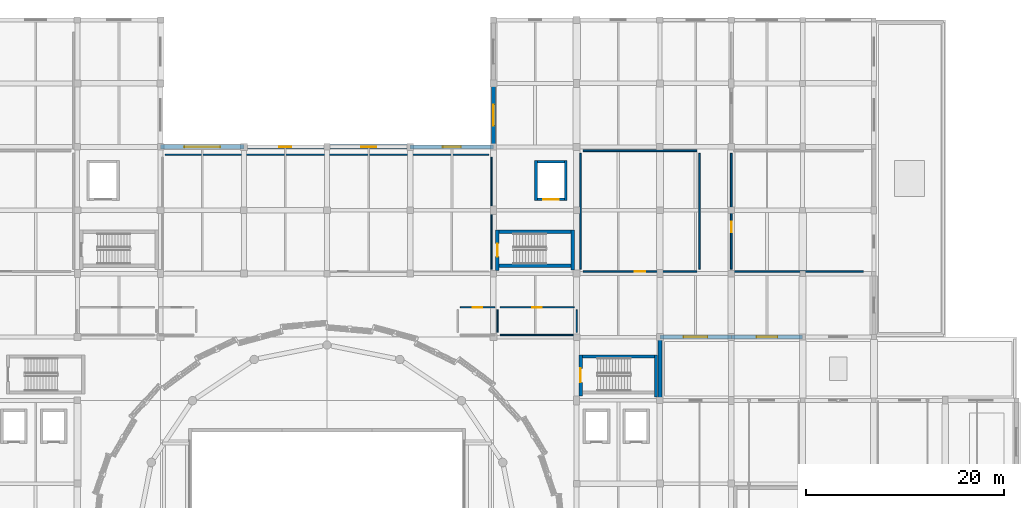
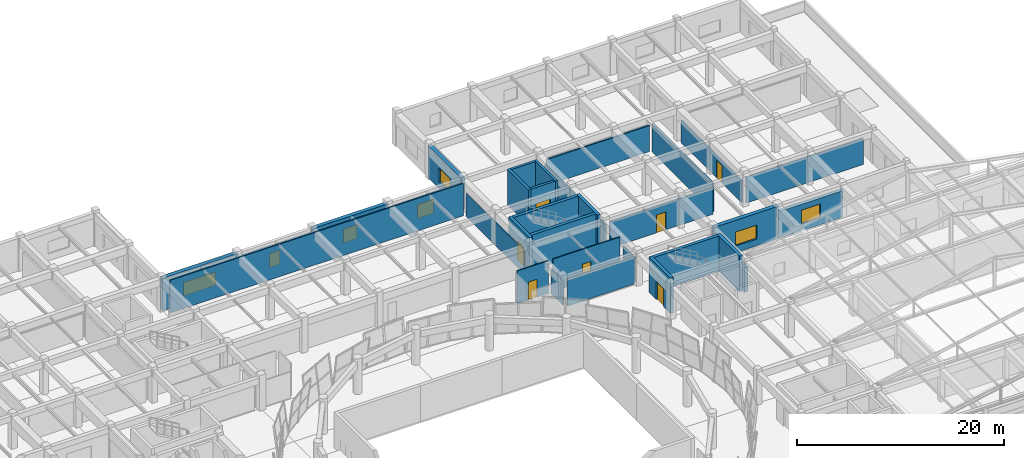
# One storey, part 60 of 74: 32 walls, 7 doors, 7 windows, 14 openings.
"""IFC4 building model written with IfcOpenShell, lengths in metres."""

from ifc_helpers import new_model, si_unit, direction, frame, frame_2d, origin, place, context, subcontext, project, spatial, rectangle, extrude, material, layer, layer_set, type_object, element, fill, save


model = new_model("IFC4")

# Units and contexts
model_context = context("Model", 3, precision=1e-05, world=origin(), true_north=direction((0.0, 1.0)))
body_context = subcontext(model_context, "Body", "Model", "MODEL_VIEW")
ifc_project = project(units=[si_unit("LENGTHUNIT", "METRE"), si_unit("AREAUNIT", "SQUARE_METRE"), si_unit("VOLUMEUNIT", "CUBIC_METRE"), si_unit("PLANEANGLEUNIT", "RADIAN"), si_unit("MASSUNIT", "GRAM", prefix="KILO")], contexts=[model_context])

# Site, building, storey
site_placement = place(None, origin())
site = spatial("IfcSite", under=ifc_project, at=site_placement, CompositionType="ELEMENT")
building_placement = place(site_placement, origin())
building = spatial("IfcBuilding", under=site, at=building_placement, Name="Korsvaeld Concert Hall", CompositionType="ELEMENT")
storey_placement = place(building_placement, frame((0.0, 0.0, 9.0)))
storey = spatial("IfcBuildingStorey", under=building, at=storey_placement, Name="L02", CompositionType="ELEMENT", Elevation=9.0)

# Walls
ifc_material_1 = material(Name="Concrete C40/50", Category="concrete")
ifc_layer_1 = layer(ifc_material_1, 0.340087890625)
ifc_layer_set_1 = layer_set([ifc_layer_1], Name="Concrete C40/50")
wall_type_1 = type_object("IfcWallType", Name="WL-CORE-340", PredefinedType="SHEAR", material=ifc_layer_set_1)
wall_1_placement = place(storey_placement, frame((117.199951171875, 77.125, 0.0), z_axis=(0.0, 0.0, 1.0), x_axis=(0.0, 1.0, 0.0)))
element("IfcWall", 1, at=wall_1_placement, inside=storey, type_object=wall_type_1, Name="Core K2 shear wall L02 E", PredefinedType="SHEAR", context=body_context, shape_type="SweptSolid", body=[
    extrude(rectangle(XDim=4.284912109375, YDim=0.340087890625, at=frame_2d((2.142578125, 0.0))), origin(), (0.0, 0.0, 1.0), 4.199951171875),
])
wall_2_placement = place(storey_placement, frame((117.030029296875, 81.239990234375, 0.0), z_axis=(0.0, 0.0, 1.0), x_axis=(-1.0, 0.0, 0.0)))
element("IfcWall", 2, at=wall_2_placement, inside=storey, type_object=wall_type_1, Name="Core K2 shear wall L02 N", PredefinedType="SHEAR", context=body_context, shape_type="SweptSolid", body=[
    extrude(rectangle(XDim=7.260009765625, YDim=0.340087890625, at=frame_2d((3.6298828125, 0.0))), origin(), (0.0, 0.0, 1.0), 4.199951171875),
])

# Wall, opening, door
wall_3_placement = place(storey_placement, frame((109.60009765625, 81.409912109375, 0.0), z_axis=(0.0, 0.0, 1.0), x_axis=(0.0, -1.0, 0.0)))
wall_3 = element("IfcWall", 3, at=wall_3_placement, inside=storey, type_object=wall_type_1, Name="Core K2 shear wall L02 W", PredefinedType="SHEAR", context=body_context, shape_type="SweptSolid", body=[
    extrude(rectangle(XDim=4.159912109375, YDim=0.340087890625, at=frame_2d((2.080078125, 0.0))), origin(), (0.0, 0.0, 1.0), 4.199951171875),
])
opening_1_placement = place(wall_3_placement, frame((1.3798828125, 0.0, 0.0)))
opening_1 = element("IfcOpeningElement", 4, at=opening_1_placement, cuts=wall_3, Name="Opening FD-02", PredefinedType="OPENING", context=body_context, shape_type="SweptSolid", body=[
    extrude(rectangle(XDim=1.39990234375, YDim=2.14990234375, at=frame_2d((0.699951171875, 1.074951171875))), frame((0.0, 0.18017578125, 0.0), z_axis=(0.0, -1.0, 0.0), x_axis=(1.0, 0.0, 0.0)), (0.0, 0.0, 1.0), 0.360107421875),
])
ifc_material_2 = material(Name="Acoustic steel and oak fire door", Category="steel")
door_type_1 = type_object("IfcDoorType", Name="DR-FD-STAIR-140x215", OperationType="NOTDEFINED", PredefinedType="DOOR", material=ifc_material_2)
door_1_placement = place(opening_1_placement, origin())
door_1 = element("IfcDoor", 5, at=door_1_placement, inside=storey, type_object=door_type_1, Name="Escape stair ST-K2 fire door L02", OperationType="SINGLE_SWING_RIGHT", OverallHeight=2.14990234375, OverallWidth=1.39990234375, PredefinedType="DOOR", context=body_context, shape_type="SweptSolid", body=[
    extrude(rectangle(XDim=1.39990234375, YDim=2.14990234375, at=frame_2d((0.699951171875, 1.074951171875))), frame((0.0, 0.02490234375, 0.0), z_axis=(0.0, -1.0, 0.0), x_axis=(1.0, 0.0, 0.0)), (0.0, 0.0, 1.0), 0.050048828125),
])
fill(opening_1, door_1)

# Walls
wall_4_placement = place(storey_placement, frame((101.3701171875, 90.39990234375, 0.0), z_axis=(0.0, 0.0, 1.0), x_axis=(1.0, 0.0, 0.0)))
element("IfcWall", 6, at=wall_4_placement, inside=storey, type_object=wall_type_1, Name="Core K6 shear wall L02 S", PredefinedType="SHEAR", context=body_context, shape_type="SweptSolid", body=[
    extrude(rectangle(XDim=7.259765625, YDim=0.340087890625, at=frame_2d((3.6298828125, 0.0))), origin(), (0.0, 0.0, 1.0), 4.199951171875),
])
wall_5_placement = place(storey_placement, frame((108.800048828125, 89.949951171875, 0.0), z_axis=(0.0, 0.0, 1.0), x_axis=(0.0, 1.0, 0.0)))
element("IfcWall", 7, at=wall_5_placement, inside=storey, type_object=wall_type_1, Name="Core K6 shear wall L02 E", PredefinedType="SHEAR", context=body_context, shape_type="SweptSolid", body=[
    extrude(rectangle(XDim=4.06005859375, YDim=0.340087890625, at=frame_2d((2.030029296875, 0.0))), origin(), (0.0, 0.0, 1.0), 4.199951171875),
])
wall_6_placement = place(storey_placement, frame((108.6298828125, 93.840087890625, 0.0), z_axis=(0.0, 0.0, 1.0), x_axis=(-1.0, 0.0, 0.0)))
element("IfcWall", 8, at=wall_6_placement, inside=storey, type_object=wall_type_1, Name="Core K6 shear wall L02 N", PredefinedType="SHEAR", context=body_context, shape_type="SweptSolid", body=[
    extrude(rectangle(XDim=7.259765625, YDim=0.340087890625, at=frame_2d((3.6298828125, 0.0))), origin(), (0.0, 0.0, 1.0), 4.199951171875),
])

# Wall, opening, door
wall_7_placement = place(storey_placement, frame((101.199951171875, 94.010009765625, 0.0), z_axis=(0.0, 0.0, 1.0), x_axis=(0.0, -1.0, 0.0)))
wall_7 = element("IfcWall", 9, at=wall_7_placement, inside=storey, type_object=wall_type_1, Name="Core K6 shear wall L02 W", PredefinedType="SHEAR", context=body_context, shape_type="SweptSolid", body=[
    extrude(rectangle(XDim=4.0849609375, YDim=0.340087890625, at=frame_2d((2.04248046875, 0.0))), origin(), (0.0, 0.0, 1.0), 4.199951171875),
])
opening_2_placement = place(wall_7_placement, frame((1.392578125, 0.0, 0.0)))
opening_2 = element("IfcOpeningElement", 10, at=opening_2_placement, cuts=wall_7, Name="Opening FD-01", PredefinedType="OPENING", context=body_context, shape_type="SweptSolid", body=[
    extrude(rectangle(XDim=1.300048828125, YDim=2.14990234375, at=frame_2d((0.64990234375, 1.074951171875))), frame((0.0, 0.18017578125, 0.0), z_axis=(0.0, -1.0, 0.0), x_axis=(1.0, 0.0, 0.0)), (0.0, 0.0, 1.0), 0.360107421875),
])
door_type_2 = type_object("IfcDoorType", Name="DR-FD-STAIR-130x215", OperationType="NOTDEFINED", PredefinedType="DOOR", material=ifc_material_2)
door_2_placement = place(opening_2_placement, origin())
door_2 = element("IfcDoor", 11, at=door_2_placement, inside=storey, type_object=door_type_2, Name="Escape stair ST-K6 fire door L02", OperationType="SINGLE_SWING_RIGHT", OverallHeight=2.14990234375, OverallWidth=1.300048828125, PredefinedType="DOOR", context=body_context, shape_type="SweptSolid", body=[
    extrude(rectangle(XDim=1.300048828125, YDim=2.14990234375, at=frame_2d((0.64990234375, 1.074951171875))), frame((0.0, 0.02490234375, 0.0), z_axis=(0.0, -1.0, 0.0), x_axis=(1.0, 0.0, 0.0)), (0.0, 0.0, 1.0), 0.050048828125),
])
fill(opening_2, door_2)

# Wall, opening, window
ifc_material_3 = material(Name="Obernkirchener buff sandstone rainscreen on Concrete C35/45", Category="masonry")
ifc_layer_2 = layer(ifc_material_3, 0.389892578125)
ifc_layer_set_2 = layer_set([ifc_layer_2], Name="Obernkirchener buff sandstone rainscreen on Concrete C35/45")
wall_type_2 = type_object("IfcWallType", Name="WL-EXT-BUFF-390", PredefinedType="STANDARD", material=ifc_layer_set_2)
wall_8_placement = place(storey_placement, frame((75.60009765625, 102.39990234375, 0.0), z_axis=(0.0, 0.0, 1.0), x_axis=(1.0, 0.0, 0.0)))
wall_8 = element("IfcWall", 12, at=wall_8_placement, inside=storey, type_object=wall_type_2, Name="Exterior sandstone wall L02-246", PredefinedType="STANDARD", context=body_context, shape_type="SweptSolid", body=[
    extrude(rectangle(XDim=8.39990234375, YDim=0.389892578125, at=frame_2d((4.199951171875, 0.0))), origin(), (0.0, 0.0, 1.0), 3.239990234375),
])
opening_3_placement = place(wall_8_placement, frame((3.60009765625, 0.0, 0.800048828125)))
opening_3 = element("IfcOpeningElement", 13, at=opening_3_placement, cuts=wall_8, Name="Opening WN-01", PredefinedType="OPENING", context=body_context, shape_type="SweptSolid", body=[
    extrude(rectangle(XDim=1.199951171875, YDim=1.64990234375, at=frame_2d((0.60009765625, 0.824951171875))), frame((0.0, 0.205078125, 0.0), z_axis=(0.0, -1.0, 0.0), x_axis=(1.0, 0.0, 0.0)), (0.0, 0.0, 1.0), 0.409912109375),
])
ifc_material_4 = material(Name="Anodised bronze frame with acoustic triple glazing", Category="glass")
window_type_1 = type_object("IfcWindowType", Name="WIN-AC-120x165", PartitioningType="SINGLE_PANEL", PredefinedType="WINDOW", material=ifc_material_4)
window_1_placement = place(opening_3_placement, origin())
window_1 = element("IfcWindow", 14, at=window_1_placement, inside=storey, type_object=window_type_1, Name="Acoustic triple-glazed window L02-150", OverallHeight=1.64990234375, OverallWidth=1.199951171875, PartitioningType="SINGLE_PANEL", PredefinedType="WINDOW", context=body_context, shape_type="SweptSolid", body=[
    extrude(rectangle(XDim=1.199951171875, YDim=1.64990234375, at=frame_2d((0.60009765625, 0.824951171875))), frame((0.0, 0.030029296875, 0.0), z_axis=(0.0, -1.0, 0.0), x_axis=(1.0, 0.0, 0.0)), (0.0, 0.0, 1.0), 0.06005859375),
])
fill(opening_3, window_1)

wall_9_placement = place(storey_placement, frame((92.39990234375, 102.39990234375, 0.0), z_axis=(0.0, 0.0, 1.0), x_axis=(1.0, 0.0, 0.0)))
wall_9 = element("IfcWall", 15, at=wall_9_placement, inside=storey, type_object=wall_type_2, Name="Exterior sandstone wall L02-248", PredefinedType="STANDARD", context=body_context, shape_type="SweptSolid", body=[
    extrude(rectangle(XDim=8.400146484375, YDim=0.389892578125, at=frame_2d((4.2001953125, 0.0))), origin(), (0.0, 0.0, 1.0), 3.18994140625),
])
opening_4_placement = place(wall_9_placement, frame((3.300048828125, 0.0, 0.800048828125)))
opening_4 = element("IfcOpeningElement", 16, at=opening_4_placement, cuts=wall_9, Name="Opening WN-03", PredefinedType="OPENING", context=body_context, shape_type="SweptSolid", body=[
    extrude(rectangle(XDim=1.800048828125, YDim=1.64990234375, at=frame_2d((0.89990234375, 0.824951171875))), frame((0.0, 0.205078125, 0.0), z_axis=(0.0, -1.0, 0.0), x_axis=(1.0, 0.0, 0.0)), (0.0, 0.0, 1.0), 0.409912109375),
])
window_type_2 = type_object("IfcWindowType", Name="WIN-AC-180x165", PartitioningType="SINGLE_PANEL", PredefinedType="WINDOW", material=ifc_material_4)
window_2_placement = place(opening_4_placement, origin())
window_2 = element("IfcWindow", 17, at=window_2_placement, inside=storey, type_object=window_type_2, Name="Acoustic triple-glazed window L02-152", OverallHeight=1.64990234375, OverallWidth=1.800048828125, PartitioningType="SINGLE_PANEL", PredefinedType="WINDOW", context=body_context, shape_type="SweptSolid", body=[
    extrude(rectangle(XDim=1.800048828125, YDim=1.64990234375, at=frame_2d((0.89990234375, 0.824951171875))), frame((0.0, 0.030029296875, 0.0), z_axis=(0.0, -1.0, 0.0), x_axis=(1.0, 0.0, 0.0)), (0.0, 0.0, 1.0), 0.06005859375),
])
fill(opening_4, window_2)

wall_10_placement = place(storey_placement, frame((132.0, 83.199951171875, 0.0), z_axis=(0.0, 0.0, 1.0), x_axis=(-1.0, 0.0, 0.0)))
wall_10 = element("IfcWall", 18, at=wall_10_placement, inside=storey, type_object=wall_type_2, Name="Exterior sandstone wall L02-262", PredefinedType="STANDARD", context=body_context, shape_type="SweptSolid", body=[
    extrude(rectangle(XDim=7.199951171875, YDim=0.389892578125, at=frame_2d((3.60009765625, 0.0))), origin(), (0.0, 0.0, 1.0), 3.139892578125),
])
opening_5_placement = place(wall_10_placement, frame((2.550048828125, 0.0, 0.800048828125)))
opening_5 = element("IfcOpeningElement", 19, at=opening_5_placement, cuts=wall_10, Name="Opening WN-04", PredefinedType="OPENING", context=body_context, shape_type="SweptSolid", body=[
    extrude(rectangle(XDim=2.10009765625, YDim=1.64990234375, at=frame_2d((1.050048828125, 0.824951171875))), frame((0.0, 0.205078125, 0.0), z_axis=(0.0, -1.0, 0.0), x_axis=(1.0, 0.0, 0.0)), (0.0, 0.0, 1.0), 0.409912109375),
])
window_type_3 = type_object("IfcWindowType", Name="WIN-AC-210x165", PartitioningType="SINGLE_PANEL", PredefinedType="WINDOW", material=ifc_material_4)
window_3_placement = place(opening_5_placement, origin())
window_3 = element("IfcWindow", 20, at=window_3_placement, inside=storey, type_object=window_type_3, Name="Acoustic triple-glazed window L02-166", OverallHeight=1.64990234375, OverallWidth=2.10009765625, PartitioningType="SINGLE_PANEL", PredefinedType="WINDOW", context=body_context, shape_type="SweptSolid", body=[
    extrude(rectangle(XDim=2.10009765625, YDim=1.64990234375, at=frame_2d((1.050048828125, 0.824951171875))), frame((0.0, 0.030029296875, 0.0), z_axis=(0.0, -1.0, 0.0), x_axis=(1.0, 0.0, 0.0)), (0.0, 0.0, 1.0), 0.06005859375),
])
fill(opening_5, window_3)

# Wall
wall_11_placement = place(storey_placement, frame((117.60009765625, 83.199951171875, 0.0), z_axis=(0.0, 0.0, 1.0), x_axis=(0.0, -1.0, 0.0)))
element("IfcWall", 21, at=wall_11_placement, inside=storey, type_object=wall_type_2, Name="Exterior sandstone wall L02-264", PredefinedType="STANDARD", context=body_context, shape_type="SweptSolid", body=[
    extrude(rectangle(XDim=6.39990234375, YDim=0.389892578125, at=frame_2d((3.199951171875, 0.0))), origin(), (0.0, 0.0, 1.0), 2.889892578125),
])

# Wall, opening, window
ifc_material_5 = material(Name="Bornholm Nexo rose-red sandstone rainscreen on Concrete C35/45", Category="masonry")
ifc_layer_3 = layer(ifc_material_5, 0.419921875)
ifc_layer_set_3 = layer_set([ifc_layer_3], Name="Bornholm Nexo rose-red sandstone rainscreen on Concrete C35/45")
wall_type_3 = type_object("IfcWallType", Name="WL-EXT-NEXO-420", PredefinedType="STANDARD", material=ifc_layer_set_3)
wall_12_placement = place(storey_placement, frame((67.199951171875, 102.39990234375, 0.0), z_axis=(0.0, 0.0, 1.0), x_axis=(1.0, 0.0, 0.0)))
wall_12 = element("IfcWall", 22, at=wall_12_placement, inside=storey, type_object=wall_type_3, Name="Exterior sandstone wall L02-245", PredefinedType="STANDARD", context=body_context, shape_type="SweptSolid", body=[
    extrude(rectangle(XDim=8.400146484375, YDim=0.419921875, at=frame_2d((4.2001953125, 0.0))), origin(), (0.0, 0.0, 1.0), 3.840087890625),
])
opening_6_placement = place(wall_12_placement, frame((2.39990234375, 0.0, 0.800048828125)))
opening_6 = element("IfcOpeningElement", 23, at=opening_6_placement, cuts=wall_12, Name="Opening WN-16", PredefinedType="OPENING", context=body_context, shape_type="SweptSolid", body=[
    extrude(rectangle(XDim=3.60009765625, YDim=1.60009765625, at=frame_2d((1.800048828125, 0.800048828125))), frame((0.0, 0.219970703125, 0.0), z_axis=(0.0, -1.0, 0.0), x_axis=(1.0, 0.0, 0.0)), (0.0, 0.0, 1.0), 0.43994140625),
])
window_type_4 = type_object("IfcWindowType", Name="WIN-AC-360x160", PartitioningType="TRIPLE_PANEL_VERTICAL", PredefinedType="WINDOW", material=ifc_material_4)
window_4_placement = place(opening_6_placement, origin())
window_4 = element("IfcWindow", 24, at=window_4_placement, inside=storey, type_object=window_type_4, Name="Acoustic triple-glazed window L02-149", OverallHeight=1.60009765625, OverallWidth=3.60009765625, PartitioningType="TRIPLE_PANEL_VERTICAL", PredefinedType="WINDOW", context=body_context, shape_type="SweptSolid", body=[
    extrude(rectangle(XDim=3.60009765625, YDim=1.60009765625, at=frame_2d((1.800048828125, 0.800048828125))), frame((0.0, 0.030029296875, 0.0), z_axis=(0.0, -1.0, 0.0), x_axis=(1.0, 0.0, 0.0)), (0.0, 0.0, 1.0), 0.06005859375),
])
fill(opening_6, window_4)

wall_13_placement = place(storey_placement, frame((84.0, 102.39990234375, 0.0), z_axis=(0.0, 0.0, 1.0), x_axis=(1.0, 0.0, 0.0)))
wall_13 = element("IfcWall", 25, at=wall_13_placement, inside=storey, type_object=wall_type_3, Name="Exterior sandstone wall L02-247", PredefinedType="STANDARD", context=body_context, shape_type="SweptSolid", body=[
    extrude(rectangle(XDim=8.39990234375, YDim=0.419921875, at=frame_2d((4.199951171875, 0.0))), origin(), (0.0, 0.0, 1.0), 3.840087890625),
])
opening_7_placement = place(wall_13_placement, frame((3.449951171875, 0.0, 0.800048828125)))
opening_7 = element("IfcOpeningElement", 26, at=opening_7_placement, cuts=wall_13, Name="Opening WN-02", PredefinedType="OPENING", context=body_context, shape_type="SweptSolid", body=[
    extrude(rectangle(XDim=1.5, YDim=1.64990234375, at=frame_2d((0.75, 0.824951171875))), frame((0.0, 0.219970703125, 0.0), z_axis=(0.0, -1.0, 0.0), x_axis=(1.0, 0.0, 0.0)), (0.0, 0.0, 1.0), 0.43994140625),
])
window_type_5 = type_object("IfcWindowType", Name="WIN-AC-150x165", PartitioningType="SINGLE_PANEL", PredefinedType="WINDOW", material=ifc_material_4)
window_5_placement = place(opening_7_placement, origin())
window_5 = element("IfcWindow", 27, at=window_5_placement, inside=storey, type_object=window_type_5, Name="Acoustic triple-glazed window L02-151", OverallHeight=1.64990234375, OverallWidth=1.5, PartitioningType="SINGLE_PANEL", PredefinedType="WINDOW", context=body_context, shape_type="SweptSolid", body=[
    extrude(rectangle(XDim=1.5, YDim=1.64990234375, at=frame_2d((0.75, 0.824951171875))), frame((0.0, 0.030029296875, 0.0), z_axis=(0.0, -1.0, 0.0), x_axis=(1.0, 0.0, 0.0)), (0.0, 0.0, 1.0), 0.06005859375),
])
fill(opening_7, window_5)

wall_14_placement = place(storey_placement, frame((100.800048828125, 102.39990234375, 0.0), z_axis=(0.0, 0.0, 1.0), x_axis=(0.0, 1.0, 0.0)))
wall_14 = element("IfcWall", 28, at=wall_14_placement, inside=storey, type_object=wall_type_3, Name="Exterior sandstone wall L02-249", PredefinedType="STANDARD", context=body_context, shape_type="SweptSolid", body=[
    extrude(rectangle(XDim=6.400146484375, YDim=0.419921875, at=frame_2d((3.2001953125, 0.0))), origin(), (0.0, 0.0, 1.0), 3.840087890625),
])
opening_8_placement = place(wall_14_placement, frame((2.14990234375, 0.0, 0.800048828125)))
opening_8 = element("IfcOpeningElement", 29, at=opening_8_placement, cuts=wall_14, Name="Opening WN-04", PredefinedType="OPENING", context=body_context, shape_type="SweptSolid", body=[
    extrude(rectangle(XDim=2.10009765625, YDim=1.64990234375, at=frame_2d((1.050048828125, 0.824951171875))), frame((0.0, 0.219970703125, 0.0), z_axis=(0.0, -1.0, 0.0), x_axis=(1.0, 0.0, 0.0)), (0.0, 0.0, 1.0), 0.43994140625),
])
window_6_placement = place(opening_8_placement, origin())
window_6 = element("IfcWindow", 30, at=window_6_placement, inside=storey, type_object=window_type_3, Name="Acoustic triple-glazed window L02-153", OverallHeight=1.64990234375, OverallWidth=2.10009765625, PartitioningType="SINGLE_PANEL", PredefinedType="WINDOW", context=body_context, shape_type="SweptSolid", body=[
    extrude(rectangle(XDim=2.10009765625, YDim=1.64990234375, at=frame_2d((1.050048828125, 0.824951171875))), frame((0.0, 0.030029296875, 0.0), z_axis=(0.0, -1.0, 0.0), x_axis=(1.0, 0.0, 0.0)), (0.0, 0.0, 1.0), 0.06005859375),
])
fill(opening_8, window_6)

wall_15_placement = place(storey_placement, frame((124.800048828125, 83.199951171875, 0.0), z_axis=(0.0, 0.0, 1.0), x_axis=(-1.0, 0.0, 0.0)))
wall_15 = element("IfcWall", 31, at=wall_15_placement, inside=storey, type_object=wall_type_3, Name="Exterior sandstone wall L02-263", PredefinedType="STANDARD", context=body_context, shape_type="SweptSolid", body=[
    extrude(rectangle(XDim=7.199951171875, YDim=0.419921875, at=frame_2d((3.60009765625, 0.0))), origin(), (0.0, 0.0, 1.0), 3.840087890625),
])
opening_9_placement = place(wall_15_placement, frame((2.39990234375, 0.0, 0.800048828125)))
opening_9 = element("IfcOpeningElement", 32, at=opening_9_placement, cuts=wall_15, Name="Opening WN-05", PredefinedType="OPENING", context=body_context, shape_type="SweptSolid", body=[
    extrude(rectangle(XDim=2.39990234375, YDim=1.64990234375, at=frame_2d((1.199951171875, 0.824951171875))), frame((0.0, 0.219970703125, 0.0), z_axis=(0.0, -1.0, 0.0), x_axis=(1.0, 0.0, 0.0)), (0.0, 0.0, 1.0), 0.43994140625),
])
window_type_6 = type_object("IfcWindowType", Name="WIN-AC-240x165", PartitioningType="TRIPLE_PANEL_VERTICAL", PredefinedType="WINDOW", material=ifc_material_4)
window_7_placement = place(opening_9_placement, origin())
window_7 = element("IfcWindow", 33, at=window_7_placement, inside=storey, type_object=window_type_6, Name="Acoustic triple-glazed window L02-167", OverallHeight=1.64990234375, OverallWidth=2.39990234375, PartitioningType="TRIPLE_PANEL_VERTICAL", PredefinedType="WINDOW", context=body_context, shape_type="SweptSolid", body=[
    extrude(rectangle(XDim=2.39990234375, YDim=1.64990234375, at=frame_2d((1.199951171875, 0.824951171875))), frame((0.0, 0.030029296875, 0.0), z_axis=(0.0, -1.0, 0.0), x_axis=(1.0, 0.0, 0.0)), (0.0, 0.0, 1.0), 0.06005859375),
])
fill(opening_9, window_7)

# Walls
ifc_material_6 = material(Name="Insulated acoustic gypsum partition")
ifc_layer_4 = layer(ifc_material_6, 0.125)
ifc_layer_set_4 = layer_set([ifc_layer_4], Name="Insulated acoustic gypsum partition")
wall_type_4 = type_object("IfcWallType", Name="WL-PART-125", PredefinedType="PARTITIONING", material=ifc_layer_set_4)
wall_16_placement = place(storey_placement, frame((100.60009765625, 90.06005859375, 0.0), z_axis=(0.0, 0.0, 1.0), x_axis=(0.0, 1.0, 0.0)))
element("IfcWall", 34, at=wall_16_placement, inside=storey, type_object=wall_type_4, Name="Interior partition L02-13 E", PredefinedType="PARTITIONING", context=body_context, shape_type="SweptSolid", body=[
    extrude(rectangle(XDim=11.280029296875, YDim=0.125, at=frame_2d((5.64013671875, 0.0))), origin(), (0.0, 0.0, 1.0), 2.764892578125),
])
wall_17_placement = place(storey_placement, frame((100.340087890625, 101.60009765625, 0.0), z_axis=(0.0, 0.0, 1.0), x_axis=(-1.0, 0.0, 0.0)))
element("IfcWall", 35, at=wall_17_placement, inside=storey, type_object=wall_type_4, Name="Interior partition L02-13 N", PredefinedType="PARTITIONING", context=body_context, shape_type="SweptSolid", body=[
    extrude(rectangle(XDim=32.68017578125, YDim=0.125, at=frame_2d((16.340087890625, 0.0))), origin(), (0.0, 0.0, 1.0), 3.840087890625),
])
wall_18_placement = place(storey_placement, frame((101.4599609375, 83.39990234375, 0.0), z_axis=(0.0, 0.0, 1.0), x_axis=(1.0, 0.0, 0.0)))
element("IfcWall", 36, at=wall_18_placement, inside=storey, type_object=wall_type_4, Name="Interior partition L02-21 S", PredefinedType="PARTITIONING", context=body_context, shape_type="SweptSolid", body=[
    extrude(rectangle(XDim=7.47998046875, YDim=0.125, at=frame_2d((3.739990234375, 0.0))), origin(), (0.0, 0.0, 1.0), 3.215087890625),
])
wall_19_placement = place(storey_placement, frame((109.199951171875, 83.659912109375, 0.0), z_axis=(0.0, 0.0, 1.0), x_axis=(0.0, 1.0, 0.0)))
element("IfcWall", 37, at=wall_19_placement, inside=storey, type_object=wall_type_4, Name="Interior partition L02-21 E", PredefinedType="PARTITIONING", context=body_context, shape_type="SweptSolid", body=[
    extrude(rectangle(XDim=2.280029296875, YDim=0.125, at=frame_2d((1.14013671875, 0.0))), origin(), (0.0, 0.0, 1.0), 2.864990234375),
])

# Wall, opening, door
wall_20_placement = place(storey_placement, frame((108.93994140625, 86.199951171875, 0.0), z_axis=(0.0, 0.0, 1.0), x_axis=(-1.0, 0.0, 0.0)))
wall_20 = element("IfcWall", 38, at=wall_20_placement, inside=storey, type_object=wall_type_4, Name="Interior partition L02-21 N", PredefinedType="PARTITIONING", context=body_context, shape_type="SweptSolid", body=[
    extrude(rectangle(XDim=7.47998046875, YDim=0.125, at=frame_2d((3.739990234375, 0.0))), origin(), (0.0, 0.0, 1.0), 3.840087890625),
])
opening_10_placement = place(wall_20_placement, frame((3.27001953125, 0.0, 0.0)))
opening_10 = element("IfcOpeningElement", 39, at=opening_10_placement, cuts=wall_20, Name="Opening ID-05", PredefinedType="OPENING", context=body_context, shape_type="SweptSolid", body=[
    extrude(rectangle(XDim=0.93994140625, YDim=2.10009765625, at=frame_2d((0.469970703125, 1.050048828125))), frame((0.0, 0.072509765625, 0.0), z_axis=(0.0, -1.0, 0.0), x_axis=(1.0, 0.0, 0.0)), (0.0, 0.0, 1.0), 0.14501953125),
])
ifc_material_7 = material(Name="Accessible washroom oak door")
door_type_3 = type_object("IfcDoorType", Name="DR-INT-WC-094x210", OperationType="NOTDEFINED", PredefinedType="DOOR", material=ifc_material_7)
door_3_placement = place(opening_10_placement, origin())
door_3 = element("IfcDoor", 40, at=door_3_placement, inside=storey, type_object=door_type_3, Name="Public Male & Female WC L02 East door L02-21", OperationType="SINGLE_SWING_RIGHT", OverallHeight=2.10009765625, OverallWidth=0.93994140625, PredefinedType="DOOR", context=body_context, shape_type="SweptSolid", body=[
    extrude(rectangle(XDim=0.93994140625, YDim=2.10009765625, at=frame_2d((0.469970703125, 1.050048828125))), frame((0.0, 0.02490234375, 0.0), z_axis=(0.0, -1.0, 0.0), x_axis=(1.0, 0.0, 0.0)), (0.0, 0.0, 1.0), 0.050048828125),
])
fill(opening_10, door_3)

# Wall
wall_21_placement = place(storey_placement, frame((101.199951171875, 85.93994140625, 0.0), z_axis=(0.0, 0.0, 1.0), x_axis=(0.0, -1.0, 0.0)))
element("IfcWall", 41, at=wall_21_placement, inside=storey, type_object=wall_type_4, Name="Interior partition L02-21 W", PredefinedType="PARTITIONING", context=body_context, shape_type="SweptSolid", body=[
    extrude(rectangle(XDim=2.280029296875, YDim=0.125, at=frame_2d((1.14013671875, 0.0))), origin(), (0.0, 0.0, 1.0), 2.864990234375),
])

# Wall, opening, door
wall_22_placement = place(storey_placement, frame((100.93994140625, 86.199951171875, 0.0), z_axis=(0.0, 0.0, 1.0), x_axis=(-1.0, 0.0, 0.0)))
wall_22 = element("IfcWall", 42, at=wall_22_placement, inside=storey, type_object=wall_type_4, Name="Interior partition L02-22 N", PredefinedType="PARTITIONING", context=body_context, shape_type="SweptSolid", body=[
    extrude(rectangle(XDim=3.47998046875, YDim=0.125, at=frame_2d((1.739990234375, 0.0))), origin(), (0.0, 0.0, 1.0), 3.840087890625),
])
opening_11_placement = place(wall_22_placement, frame((1.27001953125, 0.0, 0.0)))
opening_11 = element("IfcOpeningElement", 43, at=opening_11_placement, cuts=wall_22, Name="Opening ID-05", PredefinedType="OPENING", context=body_context, shape_type="SweptSolid", body=[
    extrude(rectangle(XDim=0.93994140625, YDim=2.10009765625, at=frame_2d((0.469970703125, 1.050048828125))), frame((0.0, 0.072509765625, 0.0), z_axis=(0.0, -1.0, 0.0), x_axis=(1.0, 0.0, 0.0)), (0.0, 0.0, 1.0), 0.14501953125),
])
door_4_placement = place(opening_11_placement, origin())
door_4 = element("IfcDoor", 44, at=door_4_placement, inside=storey, type_object=door_type_3, Name="Accessible WC L02 East door L02-22", OperationType="SINGLE_SWING_LEFT", OverallHeight=2.10009765625, OverallWidth=0.93994140625, PredefinedType="DOOR", context=body_context, shape_type="SweptSolid", body=[
    extrude(rectangle(XDim=0.93994140625, YDim=2.10009765625, at=frame_2d((0.469970703125, 1.050048828125))), frame((0.0, 0.02490234375, 0.0), z_axis=(0.0, -1.0, 0.0), x_axis=(1.0, 0.0, 0.0)), (0.0, 0.0, 1.0), 0.050048828125),
])
fill(opening_11, door_4)

ifc_material_8 = material(Name="Double-stud acoustic rehearsal partition")
ifc_layer_5 = layer(ifc_material_8, 0.159912109375)
ifc_layer_set_5 = layer_set([ifc_layer_5], Name="Double-stud acoustic rehearsal partition")
wall_type_5 = type_object("IfcWallType", Name="WL-PART-160", PredefinedType="PARTITIONING", material=ifc_layer_set_5)
wall_23_placement = place(storey_placement, frame((109.860107421875, 89.800048828125, 0.0), z_axis=(0.0, 0.0, 1.0), x_axis=(1.0, 0.0, 0.0)))
wall_23 = element("IfcWall", 45, at=wall_23_placement, inside=storey, type_object=wall_type_5, Name="Interior partition L02-14 S", PredefinedType="PARTITIONING", context=body_context, shape_type="SweptSolid", body=[
    extrude(rectangle(XDim=11.47998046875, YDim=0.159912109375, at=frame_2d((5.739990234375, 0.0))), origin(), (0.0, 0.0, 1.0), 3.114990234375),
])
opening_12_placement = place(wall_23_placement, frame((5.215087890625, 0.0, 0.0)))
opening_12 = element("IfcOpeningElement", 46, at=opening_12_placement, cuts=wall_23, Name="Opening ID-02", PredefinedType="OPENING", context=body_context, shape_type="SweptSolid", body=[
    extrude(rectangle(XDim=1.050048828125, YDim=2.10009765625, at=frame_2d((0.52490234375, 1.050048828125))), frame((0.0, 0.08984375, 0.0), z_axis=(0.0, -1.0, 0.0), x_axis=(1.0, 0.0, 0.0)), (0.0, 0.0, 1.0), 0.179931640625),
])
ifc_material_9 = material(Name="Solid European oak practice room door")
door_type_4 = type_object("IfcDoorType", Name="DR-INT-PRC-105x210", OperationType="NOTDEFINED", PredefinedType="DOOR", material=ifc_material_9)
door_5_placement = place(opening_12_placement, origin())
door_5 = element("IfcDoor", 47, at=door_5_placement, inside=storey, type_object=door_type_4, Name="Solo Practice Rooms L02-13..16 door L02-14", OperationType="SINGLE_SWING_LEFT", OverallHeight=2.10009765625, OverallWidth=1.050048828125, PredefinedType="DOOR", context=body_context, shape_type="SweptSolid", body=[
    extrude(rectangle(XDim=1.050048828125, YDim=2.10009765625, at=frame_2d((0.52490234375, 1.050048828125))), frame((0.0, 0.02490234375, 0.0), z_axis=(0.0, -1.0, 0.0), x_axis=(1.0, 0.0, 0.0)), (0.0, 0.0, 1.0), 0.050048828125),
])
fill(opening_12, door_5)

# Walls
wall_24_placement = place(storey_placement, frame((121.60009765625, 90.06005859375, 0.0), z_axis=(0.0, 0.0, 1.0), x_axis=(0.0, 1.0, 0.0)))
element("IfcWall", 48, at=wall_24_placement, inside=storey, type_object=wall_type_5, Name="Interior partition L02-14 E", PredefinedType="PARTITIONING", context=body_context, shape_type="SweptSolid", body=[
    extrude(rectangle(XDim=11.679931640625, YDim=0.159912109375, at=frame_2d((5.83984375, 0.0))), origin(), (0.0, 0.0, 1.0), 3.364990234375),
])
wall_25_placement = place(storey_placement, frame((121.340087890625, 102.0, 0.0), z_axis=(0.0, 0.0, 1.0), x_axis=(-1.0, 0.0, 0.0)))
element("IfcWall", 49, at=wall_25_placement, inside=storey, type_object=wall_type_5, Name="Interior partition L02-14 N", PredefinedType="PARTITIONING", context=body_context, shape_type="SweptSolid", body=[
    extrude(rectangle(XDim=11.47998046875, YDim=0.159912109375, at=frame_2d((5.739990234375, 0.0))), origin(), (0.0, 0.0, 1.0), 3.06494140625),
])
wall_26_placement = place(storey_placement, frame((109.60009765625, 101.739990234375, 0.0), z_axis=(0.0, 0.0, 1.0), x_axis=(0.0, -1.0, 0.0)))
element("IfcWall", 50, at=wall_26_placement, inside=storey, type_object=wall_type_5, Name="Interior partition L02-14 W", PredefinedType="PARTITIONING", context=body_context, shape_type="SweptSolid", body=[
    extrude(rectangle(XDim=11.679931640625, YDim=0.159912109375, at=frame_2d((5.83984375, 0.0))), origin(), (0.0, 0.0, 1.0), 2.715087890625),
])
wall_27_placement = place(storey_placement, frame((125.06005859375, 89.800048828125, 0.0), z_axis=(0.0, 0.0, 1.0), x_axis=(1.0, 0.0, 0.0)))
element("IfcWall", 51, at=wall_27_placement, inside=storey, type_object=wall_type_5, Name="Interior partition L02-15 S", PredefinedType="PARTITIONING", context=body_context, shape_type="SweptSolid", body=[
    extrude(rectangle(XDim=13.079833984375, YDim=0.159912109375, at=frame_2d((6.5400390625, 0.0))), origin(), (0.0, 0.0, 1.0), 3.06494140625),
])

# Wall, opening, door
wall_28_placement = place(storey_placement, frame((124.800048828125, 101.739990234375, 0.0), z_axis=(0.0, 0.0, 1.0), x_axis=(0.0, -1.0, 0.0)))
wall_28 = element("IfcWall", 52, at=wall_28_placement, inside=storey, type_object=wall_type_5, Name="Interior partition L02-15 W", PredefinedType="PARTITIONING", context=body_context, shape_type="SweptSolid", body=[
    extrude(rectangle(XDim=11.679931640625, YDim=0.159912109375, at=frame_2d((5.83984375, 0.0))), origin(), (0.0, 0.0, 1.0), 2.614990234375),
])
opening_13_placement = place(wall_28_placement, frame((6.9150390625, 0.0, 0.0)))
opening_13 = element("IfcOpeningElement", 53, at=opening_13_placement, cuts=wall_28, Name="Opening ID-02", PredefinedType="OPENING", context=body_context, shape_type="SweptSolid", body=[
    extrude(rectangle(XDim=1.050048828125, YDim=2.10009765625, at=frame_2d((0.52490234375, 1.050048828125))), frame((0.0, 0.08984375, 0.0), z_axis=(0.0, -1.0, 0.0), x_axis=(1.0, 0.0, 0.0)), (0.0, 0.0, 1.0), 0.179931640625),
])
door_6_placement = place(opening_13_placement, origin())
door_6 = element("IfcDoor", 54, at=door_6_placement, inside=storey, type_object=door_type_4, Name="Solo Practice Rooms L02-17..20 door L02-15", OperationType="SINGLE_SWING_RIGHT", OverallHeight=2.10009765625, OverallWidth=1.050048828125, PredefinedType="DOOR", context=body_context, shape_type="SweptSolid", body=[
    extrude(rectangle(XDim=1.050048828125, YDim=2.10009765625, at=frame_2d((0.52490234375, 1.050048828125))), frame((0.0, 0.02490234375, 0.0), z_axis=(0.0, -1.0, 0.0), x_axis=(1.0, 0.0, 0.0)), (0.0, 0.0, 1.0), 0.050048828125),
])
fill(opening_13, door_6)

ifc_layer_6 = layer(ifc_material_1, 0.280029296875)
ifc_layer_set_6 = layer_set([ifc_layer_6], Name="Concrete C40/50")
wall_type_6 = type_object("IfcWallType", Name="WL-SHAFT-280", PredefinedType="SHEAR", material=ifc_layer_set_6)
wall_29_placement = place(storey_placement, frame((105.239990234375, 97.10009765625, 0.0), z_axis=(0.0, 0.0, 1.0), x_axis=(1.0, 0.0, 0.0)))
wall_29 = element("IfcWall", 55, at=wall_29_placement, inside=storey, type_object=wall_type_6, Name="Lift LG-02 shaft wall L02 S", PredefinedType="SHEAR", context=body_context, shape_type="SweptSolid", body=[
    extrude(rectangle(XDim=2.719970703125, YDim=0.280029296875, at=frame_2d((1.35986328125, 0.0))), origin(), (0.0, 0.0, 1.0), 4.199951171875),
])
opening_14_placement = place(wall_29_placement, frame((0.56005859375, 0.0, 0.0)))
opening_14 = element("IfcOpeningElement", 56, at=opening_14_placement, cuts=wall_29, Name="Opening LD-03", PredefinedType="OPENING", context=body_context, shape_type="SweptSolid", body=[
    extrude(rectangle(XDim=1.60009765625, YDim=2.300048828125, at=frame_2d((0.800048828125, 1.14990234375))), frame((0.0, 0.14990234375, 0.0), z_axis=(0.0, -1.0, 0.0), x_axis=(1.0, 0.0, 0.0)), (0.0, 0.0, 1.0), 0.300048828125),
])
ifc_material_10 = material(Name="Heavy-duty stainless sliding goods lift landing door")
door_type_5 = type_object("IfcDoorType", Name="DR-LD-GOODS-160x230", OperationType="NOTDEFINED", PredefinedType="DOOR", material=ifc_material_10)
door_7_placement = place(opening_14_placement, origin())
door_7 = element("IfcDoor", 57, at=door_7_placement, inside=storey, type_object=door_type_5, Name="Lift landing door LG-02 L02", OperationType="SLIDING_TO_RIGHT", OverallHeight=2.300048828125, OverallWidth=1.60009765625, PredefinedType="DOOR", context=body_context, shape_type="SweptSolid", body=[
    extrude(rectangle(XDim=1.60009765625, YDim=2.300048828125, at=frame_2d((0.800048828125, 1.14990234375))), frame((0.0, 0.02490234375, 0.0), z_axis=(0.0, -1.0, 0.0), x_axis=(1.0, 0.0, 0.0)), (0.0, 0.0, 1.0), 0.050048828125),
])
fill(opening_14, door_7)

# Walls
wall_30_placement = place(storey_placement, frame((108.10009765625, 96.9599609375, 0.0), z_axis=(0.0, 0.0, 1.0), x_axis=(0.0, 1.0, 0.0)))
element("IfcWall", 58, at=wall_30_placement, inside=storey, type_object=wall_type_6, Name="Lift LG-02 shaft wall L02 E", PredefinedType="SHEAR", context=body_context, shape_type="SweptSolid", body=[
    extrude(rectangle(XDim=4.080078125, YDim=0.280029296875, at=frame_2d((2.0400390625, 0.0))), origin(), (0.0, 0.0, 1.0), 4.199951171875),
])
wall_31_placement = place(storey_placement, frame((107.9599609375, 100.89990234375, 0.0), z_axis=(0.0, 0.0, 1.0), x_axis=(-1.0, 0.0, 0.0)))
element("IfcWall", 59, at=wall_31_placement, inside=storey, type_object=wall_type_6, Name="Lift LG-02 shaft wall L02 N", PredefinedType="SHEAR", context=body_context, shape_type="SweptSolid", body=[
    extrude(rectangle(XDim=2.719970703125, YDim=0.280029296875, at=frame_2d((1.35986328125, 0.0))), origin(), (0.0, 0.0, 1.0), 4.199951171875),
])
wall_32_placement = place(storey_placement, frame((105.10009765625, 101.0400390625, 0.0), z_axis=(0.0, 0.0, 1.0), x_axis=(0.0, -1.0, 0.0)))
element("IfcWall", 60, at=wall_32_placement, inside=storey, type_object=wall_type_6, Name="Lift LG-02 shaft wall L02 W", PredefinedType="SHEAR", context=body_context, shape_type="SweptSolid", body=[
    extrude(rectangle(XDim=4.080078125, YDim=0.280029296875, at=frame_2d((2.0400390625, 0.0))), origin(), (0.0, 0.0, 1.0), 4.199951171875),
])

save(model, "model.ifc")
